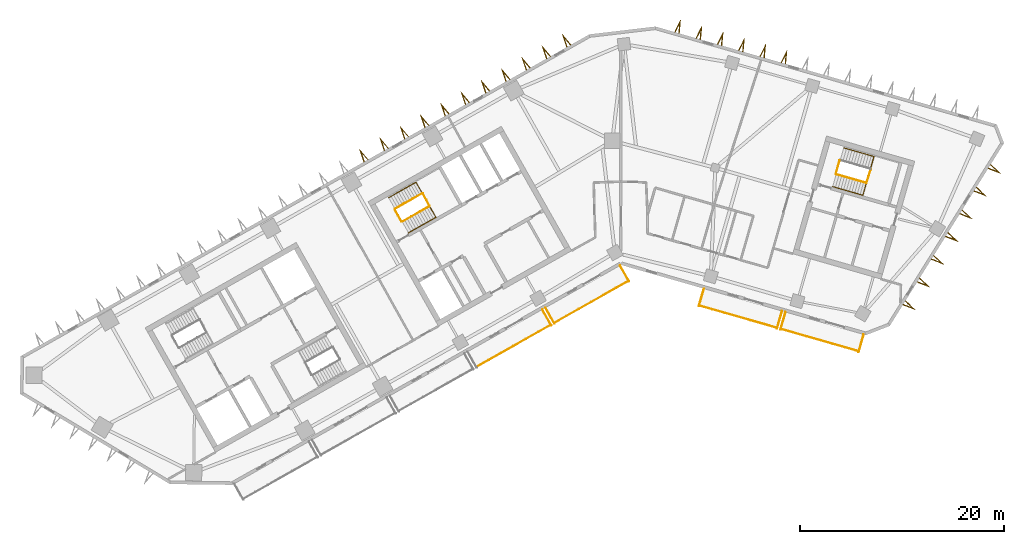
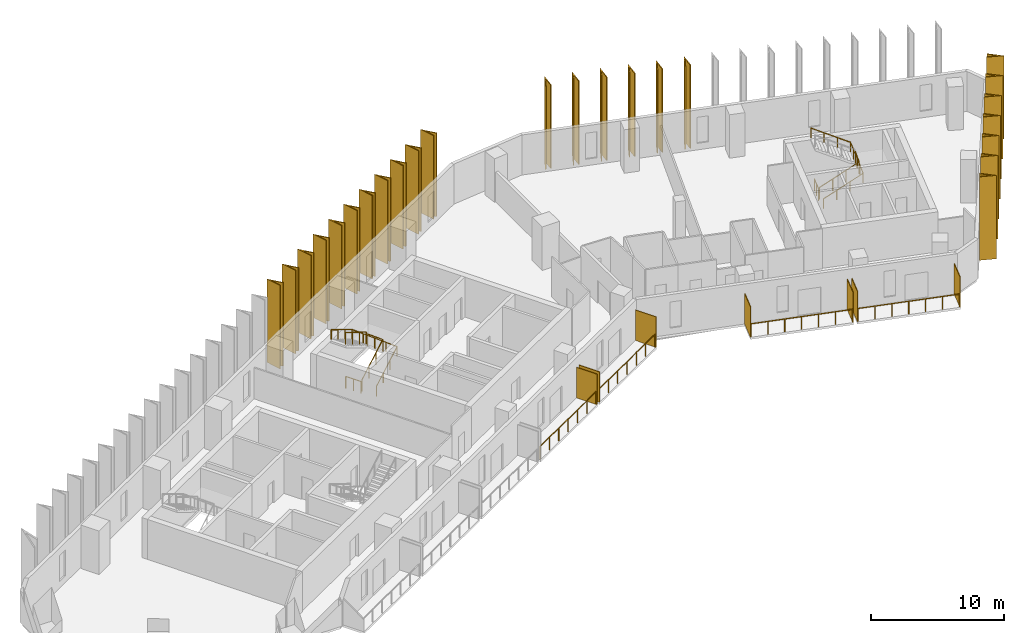
# One storey, part 9 of 10: 31 shading devices, 11 railings.
"""IFC4 building model written with IfcOpenShell, lengths in metres."""

from ifc_helpers import new_model, si_unit, direction, frame, origin, origin_2d, place, context, subcontext, project, spatial, polyline, rectangle, circle, outline, extrude, material, layer, layer_set, type_object, element, save


model = new_model("IFC4")

# Units and contexts
model_context = context("Model", 3, precision=1e-05, world=origin(), true_north=direction((0.0, 1.0)))
body_context = subcontext(model_context, "Body", "Model", "MODEL_VIEW")
ifc_project = project(units=[si_unit("LENGTHUNIT", "METRE"), si_unit("AREAUNIT", "SQUARE_METRE"), si_unit("VOLUMEUNIT", "CUBIC_METRE"), si_unit("PLANEANGLEUNIT", "RADIAN"), si_unit("MASSUNIT", "GRAM", prefix="KILO")], contexts=[model_context])

# Site, building, storey
site_placement = place(None, origin())
site = spatial("IfcSite", under=ifc_project, at=site_placement, CompositionType="ELEMENT")
building_placement = place(site_placement, origin())
building = spatial("IfcBuilding", under=site, at=building_placement, Name="Binnacle Exchange Tower", CompositionType="ELEMENT")
storey_placement = place(building_placement, frame((0.0, 0.0, 178.89990234375)))
storey = spatial("IfcBuildingStorey", under=building, at=storey_placement, Name="L38", CompositionType="ELEMENT", Elevation=178.89990234375)

# Railings
ifc_material_1 = material(Name="Bronze anodised aluminium frame", Category="aluminium")
railing_type_1 = type_object("IfcRailingType", Name="GUARD 1200", PredefinedType="GUARDRAIL", material=ifc_material_1)
railing_1_placement = place(storey_placement, frame((-14.135498046875, 37.85400390625, 0.0)))
element("IfcRailing", 1, at=railing_1_placement, inside=storey, type_object=railing_type_1, Name="Balcony guard G01-B03 L38", PredefinedType="GUARDRAIL", context=body_context, shape_type="SweptSolid", body=[
    extrude(circle(Radius=0.02392578125, at=origin_2d()), frame((0.0, 0.0, 1.17578125), z_axis=(0.870365821494, 0.492405662818, 0.0), x_axis=(-0.492405662818, 0.870365821494, 0.0)), (0.0, 0.0, 1.0), 8.334716796875),
    extrude(circle(Radius=0.02099609375, at=origin_2d()), origin(), (0.0, 0.0, 1.0), 1.15185546875),
    extrude(circle(Radius=0.02099609375, at=origin_2d()), frame((1.208984375, 0.68408203125, 0.0)), (0.0, 0.0, 1.0), 1.15185546875),
    extrude(circle(Radius=0.02099609375, at=origin_2d()), frame((2.41796875, 1.367919921875, 0.0)), (0.0, 0.0, 1.0), 1.15185546875),
    extrude(circle(Radius=0.02099609375, at=origin_2d()), frame((3.626953125, 2.052001953125, 0.0)), (0.0, 0.0, 1.0), 1.15185546875),
    extrude(circle(Radius=0.02099609375, at=origin_2d()), frame((4.836181640625, 2.736083984375, 0.0)), (0.0, 0.0, 1.0), 1.15185546875),
    extrude(circle(Radius=0.02099609375, at=origin_2d()), frame((6.045166015625, 3.419921875, 0.0)), (0.0, 0.0, 1.0), 1.15185546875),
    extrude(circle(Radius=0.02099609375, at=origin_2d()), frame((7.254150390625, 4.10400390625, 0.0)), (0.0, 0.0, 1.0), 1.15185546875),
])
railing_2_placement = place(storey_placement, frame((-6.515869140625, 42.164794921875, 0.0)))
element("IfcRailing", 2, at=railing_2_placement, inside=storey, type_object=railing_type_1, Name="Balcony guard G01-B04 L38", PredefinedType="GUARDRAIL", context=body_context, shape_type="SweptSolid", body=[
    extrude(circle(Radius=0.02392578125, at=origin_2d()), frame((0.0, 0.0, 1.17578125), z_axis=(0.8703461643, 0.49244040684, 0.0), x_axis=(-0.49244040684, 0.8703461643, 0.0)), (0.0, 0.0, 1.0), 8.33447265625),
    extrude(circle(Radius=0.02099609375, at=origin_2d()), origin(), (0.0, 0.0, 1.0), 1.15185546875),
    extrude(circle(Radius=0.02099609375, at=origin_2d()), frame((1.208984375, 0.68408203125, 0.0)), (0.0, 0.0, 1.0), 1.15185546875),
    extrude(circle(Radius=0.02099609375, at=origin_2d()), frame((2.41796875, 1.3681640625, 0.0)), (0.0, 0.0, 1.0), 1.15185546875),
    extrude(circle(Radius=0.02099609375, at=origin_2d()), frame((3.626953125, 2.05224609375, 0.0)), (0.0, 0.0, 1.0), 1.15185546875),
    extrude(circle(Radius=0.02099609375, at=origin_2d()), frame((4.8359375, 2.736083984375, 0.0)), (0.0, 0.0, 1.0), 1.15185546875),
    extrude(circle(Radius=0.02099609375, at=origin_2d()), frame((6.044921875, 3.420166015625, 0.0)), (0.0, 0.0, 1.0), 1.15185546875),
    extrude(circle(Radius=0.02099609375, at=origin_2d()), frame((7.25390625, 4.104248046875, 0.0)), (0.0, 0.0, 1.0), 1.15185546875),
])
for number, where, name in (
    (3, (7.6845703125, 43.85107421875, 0.0), "Balcony guard G02-B01 L38"),
    (4, (15.6826171875, 41.5576171875, 0.0), "Balcony guard G02-B02 L38"),
):
    element("IfcRailing", number, at=place(storey_placement, frame(where)), inside=storey, type_object=railing_type_1, Name=name, PredefinedType="GUARDRAIL", context=body_context, shape_type="SweptSolid", body=[
        extrude(circle(Radius=0.02392578125, at=origin_2d()), frame((0.0, 0.0, 1.17578125), z_axis=(0.961265805968, -0.275623022035, 0.0), x_axis=(0.275623022035, 0.961265805968, 0.0)), (0.0, 0.0, 1.0), 7.900146484375),
        extrude(circle(Radius=0.02099609375, at=origin_2d()), origin(), (0.0, 0.0, 1.0), 1.15185546875),
        extrude(circle(Radius=0.02099609375, at=origin_2d()), frame((1.265625, -0.36279296875, 0.0)), (0.0, 0.0, 1.0), 1.15185546875),
        extrude(circle(Radius=0.02099609375, at=origin_2d()), frame((2.531494140625, -0.725830078125, 0.0)), (0.0, 0.0, 1.0), 1.15185546875),
        extrude(circle(Radius=0.02099609375, at=origin_2d()), frame((3.797119140625, -1.0888671875, 0.0)), (0.0, 0.0, 1.0), 1.15185546875),
        extrude(circle(Radius=0.02099609375, at=origin_2d()), frame((5.062744140625, -1.45166015625, 0.0)), (0.0, 0.0, 1.0), 1.15185546875),
        extrude(circle(Radius=0.02099609375, at=origin_2d()), frame((6.32861328125, -1.814453125, 0.0)), (0.0, 0.0, 1.0), 1.15185546875),
        extrude(circle(Radius=0.02099609375, at=origin_2d()), frame((7.59423828125, -2.177490234375, 0.0)), (0.0, 0.0, 1.0), 1.15185546875),
    ])

# Shading devices
ifc_material_2 = material(Name="Bronze aluminium louvre", Category="aluminium")
ifc_layer = layer(ifc_material_2, 0.06005859375)
ifc_layer_set = layer_set([ifc_layer], Name="PLANTED SCREEN 60x2800")
shading_device_type_1 = type_object("IfcShadingDeviceType", Name="PLANTED SCREEN 60x2800", PredefinedType="USERDEFINED", material=ifc_layer_set)
for number, where, z_axis, x_axis, name in (
    (5, (-7.259033203125, 42.6865234375, 0.0), (0.0, 0.0, 1.0), (0.87035569594, 0.492423560103, 0.0), "Planted screen G01-B03b L38"),
    (6, (-6.94580078125, 42.864013671875, 0.0), (0.0, 0.0, 1.0), (0.87035569594, 0.492423560103, 0.0), "Planted screen G01-B04a L38"),
    (7, (0.3603515625, 46.99755859375, 0.0), (0.0, 0.0, 1.0), (0.87035569594, 0.492423560103, 0.0), "Planted screen G01-B04b L38"),
    (8, (7.881591796875, 44.647705078125, 0.0), (0.0, 0.0, 1.0), (0.961261695938, -0.275637355817, 0.0), "Planted screen G02-B01a L38"),
    (9, (15.53369140625, 42.45361328125, 0.0), (0.0, 0.0, 1.0), (0.961261695938, -0.275637355817, 0.0), "Planted screen G02-B01b L38"),
    (10, (15.8798828125, 42.354248046875, 0.0), (0.0, 0.0, 1.0), (0.961261695938, -0.275637355817, 0.0), "Planted screen G02-B02a L38"),
    (11, (23.53173828125, 40.16015625, 0.0), (0.0, 0.0, 1.0), (0.961261695938, -0.275637355817, 0.0), "Planted screen G02-B02b L38"),
):
    element("IfcShadingDevice", number, at=place(storey_placement, frame(where, z_axis=z_axis, x_axis=x_axis)), inside=storey, type_object=shading_device_type_1, Name=name, ObjectType="SCREEN", PredefinedType="USERDEFINED", context=body_context, shape_type="SweptSolid", body=[
        extrude(rectangle(XDim=0.06005859375, YDim=1.800048828125, at=origin_2d()), origin(), (0.0, 0.0, 1.0), 2.800048828125),
    ])

# Railings
ifc_material_3 = material(Name="Steel guard rail", Category="steel")
railing_type_2 = type_object("IfcRailingType", Name="STAIR GUARD 1100", PredefinedType="GUARDRAIL", material=ifc_material_3)
railing_3_placement = place(storey_placement, frame((-21.423828125, 52.07275390625, 0.166748046875)))
element("IfcRailing", 12, at=railing_3_placement, inside=storey, type_object=railing_type_2, Name="L38 STC1 stair guard 1", PredefinedType="GUARDRAIL", context=body_context, shape_type="SweptSolid", body=[
    extrude(circle(Radius=0.02392578125, at=origin_2d()), frame((0.0, 0.0, 1.076171875), z_axis=(0.747900833971, 0.423129324283, 0.511474258861), x_axis=(-0.492412445098, 0.870361984414, 0.0)), (0.0, 0.0, 1.0), 3.584228515625),
    extrude(circle(Radius=0.02392578125, at=origin_2d()), frame((2.6806640625, 1.5166015625, 2.9091796875), z_axis=(-0.460963092712, 0.887419307406, 0.0), x_axis=(-0.887419307406, -0.460963092712, 0.0)), (0.0, 0.0, 1.0), 1.40087890625),
    extrude(circle(Radius=0.02099609375, at=origin_2d()), origin(), (0.0, 0.0, 1.0), 1.052001953125),
    extrude(circle(Radius=0.02099609375, at=origin_2d()), frame((0.8935546875, 0.505615234375, 0.611083984375)), (0.0, 0.0, 1.0), 1.052001953125),
    extrude(circle(Radius=0.02099609375, at=origin_2d()), frame((1.787109375, 1.010986328125, 1.22216796875)), (0.0, 0.0, 1.0), 1.052001953125),
    extrude(circle(Radius=0.02099609375, at=origin_2d()), frame((2.6806640625, 1.5166015625, 1.833251953125)), (0.0, 0.0, 1.0), 1.052001953125),
    extrude(circle(Radius=0.02099609375, at=origin_2d()), frame((2.35791015625, 2.13818359375, 1.833251953125)), (0.0, 0.0, 1.0), 1.052001953125),
    extrude(circle(Radius=0.02099609375, at=origin_2d()), frame((2.034912109375, 2.759765625, 1.833251953125)), (0.0, 0.0, 1.0), 1.052001953125),
])
railing_4_placement = place(storey_placement, frame((-19.45703125, 54.851318359375, 2.166748046875)))
element("IfcRailing", 13, at=railing_4_placement, inside=storey, type_object=railing_type_2, Name="L38 STC1 stair guard 2", PredefinedType="GUARDRAIL", context=body_context, shape_type="SweptSolid", body=[
    extrude(circle(Radius=0.02392578125, at=origin_2d()), frame((0.0, 0.0, 1.076171875), z_axis=(-0.747900833971, -0.423129324283, 0.511474258861), x_axis=(0.492412445098, -0.870361984414, 0.0)), (0.0, 0.0, 1.0), 3.584228515625),
    extrude(circle(Radius=0.02099609375, at=origin_2d()), origin(), (0.0, 0.0, 1.0), 1.052001953125),
    extrude(circle(Radius=0.02099609375, at=origin_2d()), frame((-0.8935546875, -0.505615234375, 0.611083984375)), (0.0, 0.0, 1.0), 1.052001953125),
    extrude(circle(Radius=0.02099609375, at=origin_2d()), frame((-1.787109375, -1.010986328125, 1.22216796875)), (0.0, 0.0, 1.0), 1.052001953125),
    extrude(circle(Radius=0.02099609375, at=origin_2d()), frame((-2.6806640625, -1.5166015625, 1.833251953125)), (0.0, 0.0, 1.0), 1.052001953125),
])
railing_5_placement = place(storey_placement, frame((-21.491943359375, 52.091552734375, 0.0)))
element("IfcRailing", 14, at=railing_5_placement, inside=storey, type_object=railing_type_2, Name="L38 STC1 stair guard 3", PredefinedType="GUARDRAIL", context=body_context, shape_type="SweptSolid", body=[
    extrude(circle(Radius=0.02392578125, at=origin_2d()), frame((0.0, 0.0, 1.076171875), z_axis=(-0.49241474071, 0.870360685654, 0.0), x_axis=(-0.870360685654, -0.49241474071, 0.0)), (0.0, 0.0, 1.0), 1.35009765625),
    extrude(circle(Radius=0.02099609375, at=origin_2d()), origin(), (0.0, 0.0, 1.0), 1.052001953125),
    extrude(circle(Radius=0.02099609375, at=origin_2d()), frame((-0.33251953125, 0.58740234375, 0.0)), (0.0, 0.0, 1.0), 1.052001953125),
    extrude(circle(Radius=0.02099609375, at=origin_2d()), frame((-0.664794921875, 1.175048828125, 0.0)), (0.0, 0.0, 1.0), 1.052001953125),
])
railing_6_placement = place(storey_placement, frame((21.086669921875, 56.71044921875, 0.166748046875)))
element("IfcRailing", 15, at=railing_6_placement, inside=storey, type_object=railing_type_2, Name="L38 STD1 stair guard 1", PredefinedType="GUARDRAIL", context=body_context, shape_type="SweptSolid", body=[
    extrude(circle(Radius=0.02392578125, at=origin_2d()), frame((0.0, 0.0, 1.076171875), z_axis=(0.826006950853, -0.236897186037, 0.511460888427), x_axis=(0.27568413623, 0.961248280639, 0.0)), (0.0, 0.0, 1.0), 3.584228515625),
    extrude(circle(Radius=0.02392578125, at=origin_2d()), frame((2.960693359375, -0.84912109375, 2.9091796875), z_axis=(0.309684985722, 0.950839213337, 0.0), x_axis=(-0.950839213337, 0.309684985722, 0.0)), (0.0, 0.0, 1.0), 1.40087890625),
    extrude(circle(Radius=0.02099609375, at=origin_2d()), origin(), (0.0, 0.0, 1.0), 1.052001953125),
    extrude(circle(Radius=0.02099609375, at=origin_2d()), frame((0.98681640625, -0.282958984375, 0.611083984375)), (0.0, 0.0, 1.0), 1.052001953125),
    extrude(circle(Radius=0.02099609375, at=origin_2d()), frame((1.973876953125, -0.566162109375, 1.22216796875)), (0.0, 0.0, 1.0), 1.052001953125),
    extrude(circle(Radius=0.02099609375, at=origin_2d()), frame((2.960693359375, -0.84912109375, 1.833251953125)), (0.0, 0.0, 1.0), 1.052001953125),
    extrude(circle(Radius=0.02099609375, at=origin_2d()), frame((3.177734375, -0.18310546875, 1.833251953125)), (0.0, 0.0, 1.0), 1.052001953125),
    extrude(circle(Radius=0.02099609375, at=origin_2d()), frame((3.39453125, 0.48291015625, 1.833251953125)), (0.0, 0.0, 1.0), 1.052001953125),
])
railing_7_placement = place(storey_placement, frame((21.05224609375, 56.772216796875, 0.0)))
element("IfcRailing", 16, at=railing_7_placement, inside=storey, type_object=railing_type_2, Name="L38 STD1 stair guard 3", PredefinedType="GUARDRAIL", context=body_context, shape_type="SweptSolid", body=[
    extrude(circle(Radius=0.02392578125, at=origin_2d()), frame((0.0, 0.0, 1.076171875), z_axis=(0.275795817769, 0.961216243569, 0.0), x_axis=(-0.961216243569, 0.275795817769, 0.0)), (0.0, 0.0, 1.0), 1.349853515625),
    extrude(circle(Radius=0.02099609375, at=origin_2d()), origin(), (0.0, 0.0, 1.0), 1.052001953125),
    extrude(circle(Radius=0.02099609375, at=origin_2d()), frame((0.18603515625, 0.64892578125, 0.0)), (0.0, 0.0, 1.0), 1.052001953125),
    extrude(circle(Radius=0.02099609375, at=origin_2d()), frame((0.372314453125, 1.297607421875, 0.0)), (0.0, 0.0, 1.0), 1.052001953125),
])
ifc_material_4 = material(Name="Steel handrail", Category="steel")
railing_type_3 = type_object("IfcRailingType", Name="STAIR HANDRAIL 900", PredefinedType="HANDRAIL", material=ifc_material_4)
railing_8_placement = place(storey_placement, frame((-20.808349609375, 50.984619140625, 0.166748046875)))
element("IfcRailing", 17, at=railing_8_placement, inside=storey, type_object=railing_type_3, Name="L38 STC1 stair handrail 1", PredefinedType="HANDRAIL", context=body_context, shape_type="SweptSolid", body=[
    extrude(circle(Radius=0.02392578125, at=origin_2d()), frame((0.0, 0.0, 0.8759765625), z_axis=(0.747909291085, 0.423163685048, 0.51143346387), x_axis=(-0.49243851748, 0.870347233294, 0.0)), (0.0, 0.0, 1.0), 3.58447265625),
    extrude(circle(Radius=0.02392578125, at=origin_2d()), frame((2.680908203125, 1.516845703125, 2.708984375), z_axis=(-0.492001882252, 0.86957179666, 0.042178647619), x_axis=(-0.87034633103, -0.492440112159, 0.0)), (0.0, 0.0, 1.0), 3.953369140625),
    extrude(circle(Radius=0.02392578125, at=origin_2d()), frame((0.73583984375, 4.95458984375, 2.8759765625), z_axis=(-0.747930846092, -0.423107769413, 0.511448203561), x_axis=(0.492378474645, -0.870381202524, 0.0)), (0.0, 0.0, 1.0), 3.58447265625),
    extrude(circle(Radius=0.02099609375, at=origin_2d()), origin(), (0.0, 0.0, 1.0), 0.851806640625),
    extrude(circle(Radius=0.02099609375, at=origin_2d()), frame((0.8935546875, 0.505615234375, 0.611083984375)), (0.0, 0.0, 1.0), 0.851806640625),
    extrude(circle(Radius=0.02099609375, at=origin_2d()), frame((1.787353515625, 1.01123046875, 1.22216796875)), (0.0, 0.0, 1.0), 0.851806640625),
    extrude(circle(Radius=0.02099609375, at=origin_2d()), frame((2.680908203125, 1.516845703125, 1.833251953125)), (0.0, 0.0, 1.0), 0.851806640625),
    extrude(circle(Radius=0.02099609375, at=origin_2d()), frame((2.194580078125, 2.376220703125, 1.875)), (0.0, 0.0, 1.0), 0.851806640625),
    extrude(circle(Radius=0.02099609375, at=origin_2d()), frame((1.70849609375, 3.23583984375, 1.91650390625)), (0.0, 0.0, 1.0), 0.851806640625),
    extrude(circle(Radius=0.02099609375, at=origin_2d()), frame((1.22216796875, 4.09521484375, 1.958251953125)), (0.0, 0.0, 1.0), 0.851806640625),
    extrude(circle(Radius=0.02099609375, at=origin_2d()), frame((0.73583984375, 4.95458984375, 2.0)), (0.0, 0.0, 1.0), 0.851806640625),
    extrude(circle(Radius=0.02099609375, at=origin_2d()), frame((-0.15771484375, 4.448974609375, 2.611083984375)), (0.0, 0.0, 1.0), 0.851806640625),
    extrude(circle(Radius=0.02099609375, at=origin_2d()), frame((-1.051513671875, 3.943603515625, 3.22216796875)), (0.0, 0.0, 1.0), 0.851806640625),
    extrude(circle(Radius=0.02099609375, at=origin_2d()), frame((-1.945068359375, 3.43798828125, 3.833251953125)), (0.0, 0.0, 1.0), 0.851806640625),
])
railing_9_placement = place(storey_placement, frame((20.7421875, 55.5087890625, 0.166748046875)))
element("IfcRailing", 18, at=railing_9_placement, inside=storey, type_object=railing_type_3, Name="L38 STD1 stair handrail 1", PredefinedType="HANDRAIL", context=body_context, shape_type="SweptSolid", body=[
    extrude(circle(Radius=0.02392578125, at=origin_2d()), frame((0.0, 0.0, 0.8759765625), z_axis=(0.826020277534, -0.236832893954, 0.511469140266), x_axis=(0.275610892984, 0.961269283639, 0.0)), (0.0, 0.0, 1.0), 3.584228515625),
    extrude(circle(Radius=0.02392578125, at=origin_2d()), frame((2.960693359375, -0.848876953125, 2.708984375), z_axis=(0.275365570671, 0.960413849534, 0.042178668932), x_axis=(-0.961269298493, 0.275610841177, 0.0)), (0.0, 0.0, 1.0), 3.953369140625),
    extrude(circle(Radius=0.02392578125, at=origin_2d()), frame((4.04931640625, 2.947998046875, 2.8759765625), z_axis=(-0.826020277534, 0.236832893954, 0.511469140266), x_axis=(-0.275610892984, -0.961269283639, 0.0)), (0.0, 0.0, 1.0), 3.584228515625),
    extrude(circle(Radius=0.02099609375, at=origin_2d()), origin(), (0.0, 0.0, 1.0), 0.851806640625),
    extrude(circle(Radius=0.02099609375, at=origin_2d()), frame((0.98681640625, -0.282958984375, 0.611083984375)), (0.0, 0.0, 1.0), 0.851806640625),
    extrude(circle(Radius=0.02099609375, at=origin_2d()), frame((1.973876953125, -0.56591796875, 1.22216796875)), (0.0, 0.0, 1.0), 0.851806640625),
    extrude(circle(Radius=0.02099609375, at=origin_2d()), frame((2.960693359375, -0.848876953125, 1.833251953125)), (0.0, 0.0, 1.0), 0.851806640625),
    extrude(circle(Radius=0.02099609375, at=origin_2d()), frame((3.23291015625, 0.100341796875, 1.875)), (0.0, 0.0, 1.0), 0.851806640625),
    extrude(circle(Radius=0.02099609375, at=origin_2d()), frame((3.5048828125, 1.049560546875, 1.91650390625)), (0.0, 0.0, 1.0), 0.851806640625),
    extrude(circle(Radius=0.02099609375, at=origin_2d()), frame((3.777099609375, 1.998779296875, 1.958251953125)), (0.0, 0.0, 1.0), 0.851806640625),
    extrude(circle(Radius=0.02099609375, at=origin_2d()), frame((4.04931640625, 2.947998046875, 2.0)), (0.0, 0.0, 1.0), 0.851806640625),
    extrude(circle(Radius=0.02099609375, at=origin_2d()), frame((3.0625, 3.23095703125, 2.611083984375)), (0.0, 0.0, 1.0), 0.851806640625),
    extrude(circle(Radius=0.02099609375, at=origin_2d()), frame((2.075439453125, 3.513916015625, 3.22216796875)), (0.0, 0.0, 1.0), 0.851806640625),
    extrude(circle(Radius=0.02099609375, at=origin_2d()), frame((1.088623046875, 3.796875, 3.833251953125)), (0.0, 0.0, 1.0), 0.851806640625),
])

# Shading devices
ifc_material_5 = material(Name="Bronze aluminium cladding", Category="aluminium")
shading_device_type_2 = type_object("IfcShadingDeviceType", Name="V FIN 1300 DEEP x 7680 HIGH", PredefinedType="USERDEFINED", material=ifc_material_5)
shading_device_1_placement = place(storey_placement, origin())
element("IfcShadingDevice", 19, at=shading_device_1_placement, inside=storey, type_object=shading_device_type_2, Name="V fin FN-G04-01 L38", ObjectType="FIN", PredefinedType="USERDEFINED", context=body_context, shape_type="SweptSolid", body=[
    extrude(outline(polyline([(27.61669921875, 43.9130859375), (28.851806640625, 43.43603515625), (27.881591796875, 44.3369140625), (27.83837890625, 44.267822265625), (28.492431640625, 43.66064453125), (27.659912109375, 43.982177734375), (27.61669921875, 43.9130859375)])), origin(), (0.0, 0.0, 1.0), 7.68017578125),
])
shading_device_2_placement = place(storey_placement, origin())
element("IfcShadingDevice", 20, at=shading_device_2_placement, inside=storey, type_object=shading_device_type_2, Name="V fin FN-G04-02 L38", ObjectType="FIN", PredefinedType="USERDEFINED", context=body_context, shape_type="SweptSolid", body=[
    extrude(outline(polyline([(29.0078125, 46.13916015625), (30.242919921875, 45.662353515625), (29.272705078125, 46.563232421875), (29.2294921875, 46.494140625), (29.883544921875, 45.88671875), (29.051025390625, 46.208251953125), (29.0078125, 46.13916015625)])), origin(), (0.0, 0.0, 1.0), 7.68017578125),
])
shading_device_3_placement = place(storey_placement, origin())
element("IfcShadingDevice", 21, at=shading_device_3_placement, inside=storey, type_object=shading_device_type_2, Name="V fin FN-G04-03 L38", ObjectType="FIN", PredefinedType="USERDEFINED", context=body_context, shape_type="SweptSolid", body=[
    extrude(outline(polyline([(30.398681640625, 48.365234375), (31.6337890625, 47.888427734375), (30.663818359375, 48.789306640625), (30.62060546875, 48.72021484375), (31.2744140625, 48.11279296875), (30.44189453125, 48.434326171875), (30.398681640625, 48.365234375)])), origin(), (0.0, 0.0, 1.0), 7.68017578125),
])
shading_device_4_placement = place(storey_placement, origin())
element("IfcShadingDevice", 22, at=shading_device_4_placement, inside=storey, type_object=shading_device_type_2, Name="V fin FN-G04-04 L38", ObjectType="FIN", PredefinedType="USERDEFINED", context=body_context, shape_type="SweptSolid", body=[
    extrude(outline(polyline([(31.789794921875, 50.59130859375), (33.02490234375, 50.114501953125), (32.054931640625, 51.015380859375), (32.01171875, 50.9462890625), (32.66552734375, 50.339111328125), (31.8330078125, 50.660400390625), (31.789794921875, 50.59130859375)])), origin(), (0.0, 0.0, 1.0), 7.68017578125),
])
shading_device_5_placement = place(storey_placement, origin())
element("IfcShadingDevice", 23, at=shading_device_5_placement, inside=storey, type_object=shading_device_type_2, Name="V fin FN-G04-05 L38", ObjectType="FIN", PredefinedType="USERDEFINED", context=body_context, shape_type="SweptSolid", body=[
    extrude(outline(polyline([(33.180908203125, 52.8173828125), (34.416015625, 52.340576171875), (33.44580078125, 53.241455078125), (33.402587890625, 53.17236328125), (34.056640625, 52.565185546875), (33.22412109375, 52.88671875), (33.180908203125, 52.8173828125)])), origin(), (0.0, 0.0, 1.0), 7.68017578125),
])
shading_device_6_placement = place(storey_placement, origin())
element("IfcShadingDevice", 24, at=shading_device_6_placement, inside=storey, type_object=shading_device_type_2, Name="V fin FN-G04-06 L38", ObjectType="FIN", PredefinedType="USERDEFINED", context=body_context, shape_type="SweptSolid", body=[
    extrude(outline(polyline([(34.572021484375, 55.043701171875), (35.806884765625, 54.56689453125), (34.8369140625, 55.4677734375), (34.793701171875, 55.398681640625), (35.447509765625, 54.791259765625), (34.614990234375, 55.11279296875), (34.572021484375, 55.043701171875)])), origin(), (0.0, 0.0, 1.0), 7.68017578125),
])
shading_device_7_placement = place(storey_placement, origin())
element("IfcShadingDevice", 25, at=shading_device_7_placement, inside=storey, type_object=shading_device_type_2, Name="V fin FN-G04-07 L38", ObjectType="FIN", PredefinedType="USERDEFINED", context=body_context, shape_type="SweptSolid", body=[
    extrude(outline(polyline([(35.962890625, 57.269775390625), (37.197998046875, 56.79296875), (36.22802734375, 57.69384765625), (36.184814453125, 57.624755859375), (36.838623046875, 57.017333984375), (36.006103515625, 57.3388671875), (35.962890625, 57.269775390625)])), origin(), (0.0, 0.0, 1.0), 7.68017578125),
])
shading_device_8_placement = place(storey_placement, origin())
element("IfcShadingDevice", 26, at=shading_device_8_placement, inside=storey, type_object=shading_device_type_2, Name="V fin FN-G06-10 L38", ObjectType="FIN", PredefinedType="USERDEFINED", context=body_context, shape_type="SweptSolid", body=[
    extrude(outline(polyline([(16.151611328125, 67.524658203125), (16.26953125, 68.84326171875), (15.6708984375, 67.66259765625), (15.749267578125, 67.64013671875), (16.15283203125, 68.43603515625), (16.0732421875, 67.547119140625), (16.151611328125, 67.524658203125)])), origin(), (0.0, 0.0, 1.0), 7.68017578125),
])
shading_device_9_placement = place(storey_placement, origin())
element("IfcShadingDevice", 27, at=shading_device_9_placement, inside=storey, type_object=shading_device_type_2, Name="V fin FN-G06-11 L38", ObjectType="FIN", PredefinedType="USERDEFINED", context=body_context, shape_type="SweptSolid", body=[
    extrude(outline(polyline([(14.0673828125, 68.122314453125), (14.185302734375, 69.44091796875), (13.586669921875, 68.260009765625), (13.6650390625, 68.23779296875), (14.068603515625, 69.03369140625), (13.989013671875, 68.144775390625), (14.0673828125, 68.122314453125)])), origin(), (0.0, 0.0, 1.0), 7.68017578125),
])
shading_device_10_placement = place(storey_placement, origin())
element("IfcShadingDevice", 28, at=shading_device_10_placement, inside=storey, type_object=shading_device_type_2, Name="V fin FN-G06-12 L38", ObjectType="FIN", PredefinedType="USERDEFINED", context=body_context, shape_type="SweptSolid", body=[
    extrude(outline(polyline([(11.98291015625, 68.719970703125), (12.10107421875, 70.03857421875), (11.50244140625, 68.85791015625), (11.580810546875, 68.83544921875), (11.984375, 69.63134765625), (11.90478515625, 68.742431640625), (11.98291015625, 68.719970703125)])), origin(), (0.0, 0.0, 1.0), 7.68017578125),
])
shading_device_11_placement = place(storey_placement, origin())
element("IfcShadingDevice", 29, at=shading_device_11_placement, inside=storey, type_object=shading_device_type_2, Name="V fin FN-G06-13 L38", ObjectType="FIN", PredefinedType="USERDEFINED", context=body_context, shape_type="SweptSolid", body=[
    extrude(outline(polyline([(9.898681640625, 69.317626953125), (10.016845703125, 70.635986328125), (9.418212890625, 69.455322265625), (9.49658203125, 69.43310546875), (9.900146484375, 70.22900390625), (9.820556640625, 69.340087890625), (9.898681640625, 69.317626953125)])), origin(), (0.0, 0.0, 1.0), 7.68017578125),
])
shading_device_12_placement = place(storey_placement, origin())
element("IfcShadingDevice", 30, at=shading_device_12_placement, inside=storey, type_object=shading_device_type_2, Name="V fin FN-G06-14 L38", ObjectType="FIN", PredefinedType="USERDEFINED", context=body_context, shape_type="SweptSolid", body=[
    extrude(outline(polyline([(7.814453125, 69.915283203125), (7.9326171875, 71.233642578125), (7.333984375, 70.052978515625), (7.412109375, 70.030517578125), (7.81591796875, 70.826416015625), (7.736083984375, 69.9375), (7.814453125, 69.915283203125)])), origin(), (0.0, 0.0, 1.0), 7.68017578125),
])
shading_device_13_placement = place(storey_placement, origin())
element("IfcShadingDevice", 31, at=shading_device_13_placement, inside=storey, type_object=shading_device_type_2, Name="V fin FN-G06-15 L38", ObjectType="FIN", PredefinedType="USERDEFINED", context=body_context, shape_type="SweptSolid", body=[
    extrude(outline(polyline([(5.730224609375, 70.512939453125), (5.84814453125, 71.831298828125), (5.24951171875, 70.650634765625), (5.327880859375, 70.62841796875), (5.7314453125, 71.42431640625), (5.65185546875, 70.535400390625), (5.730224609375, 70.512939453125)])), origin(), (0.0, 0.0, 1.0), 7.68017578125),
])
shading_device_14_placement = place(storey_placement, origin())
element("IfcShadingDevice", 32, at=shading_device_14_placement, inside=storey, type_object=shading_device_type_2, Name="V fin FN-G08-01 L38", ObjectType="FIN", PredefinedType="USERDEFINED", context=body_context, shape_type="SweptSolid", body=[
    extrude(outline(polyline([(-4.88916015625, 69.40625), (-5.746826171875, 70.41455078125), (-5.32421875, 69.159912109375), (-5.25341796875, 69.2001953125), (-5.5380859375, 70.0458984375), (-4.9599609375, 69.3662109375), (-4.88916015625, 69.40625)])), origin(), (0.0, 0.0, 1.0), 7.68017578125),
])
shading_device_15_placement = place(storey_placement, origin())
element("IfcShadingDevice", 33, at=shading_device_15_placement, inside=storey, type_object=shading_device_type_2, Name="V fin FN-G08-02 L38", ObjectType="FIN", PredefinedType="USERDEFINED", context=body_context, shape_type="SweptSolid", body=[
    extrude(outline(polyline([(-6.87548828125, 68.2822265625), (-7.7333984375, 69.290771484375), (-7.310791015625, 68.0361328125), (-7.239990234375, 68.076171875), (-7.524658203125, 68.922119140625), (-6.946533203125, 68.2421875), (-6.87548828125, 68.2822265625)])), origin(), (0.0, 0.0, 1.0), 7.68017578125),
])
shading_device_16_placement = place(storey_placement, origin())
element("IfcShadingDevice", 34, at=shading_device_16_placement, inside=storey, type_object=shading_device_type_2, Name="V fin FN-G08-03 L38", ObjectType="FIN", PredefinedType="USERDEFINED", context=body_context, shape_type="SweptSolid", body=[
    extrude(outline(polyline([(-8.862060546875, 67.158203125), (-9.719970703125, 68.166748046875), (-9.29736328125, 66.912109375), (-9.226318359375, 66.9521484375), (-9.51123046875, 67.798095703125), (-8.93310546875, 67.1181640625), (-8.862060546875, 67.158203125)])), origin(), (0.0, 0.0, 1.0), 7.68017578125),
])
shading_device_17_placement = place(storey_placement, origin())
element("IfcShadingDevice", 35, at=shading_device_17_placement, inside=storey, type_object=shading_device_type_2, Name="V fin FN-G08-04 L38", ObjectType="FIN", PredefinedType="USERDEFINED", context=body_context, shape_type="SweptSolid", body=[
    extrude(outline(polyline([(-10.8486328125, 66.034423828125), (-11.70654296875, 67.042724609375), (-11.283935546875, 65.7880859375), (-11.212890625, 65.828369140625), (-11.497802734375, 66.674072265625), (-10.919677734375, 65.994384765625), (-10.8486328125, 66.034423828125)])), origin(), (0.0, 0.0, 1.0), 7.68017578125),
])
shading_device_18_placement = place(storey_placement, origin())
element("IfcShadingDevice", 36, at=shading_device_18_placement, inside=storey, type_object=shading_device_type_2, Name="V fin FN-G08-05 L38", ObjectType="FIN", PredefinedType="USERDEFINED", context=body_context, shape_type="SweptSolid", body=[
    extrude(outline(polyline([(-12.835205078125, 64.910400390625), (-13.693115234375, 65.9189453125), (-13.2705078125, 64.664306640625), (-13.199462890625, 64.704345703125), (-13.484375, 65.55029296875), (-12.906005859375, 64.870361328125), (-12.835205078125, 64.910400390625)])), origin(), (0.0, 0.0, 1.0), 7.68017578125),
])
shading_device_19_placement = place(storey_placement, origin())
element("IfcShadingDevice", 37, at=shading_device_19_placement, inside=storey, type_object=shading_device_type_2, Name="V fin FN-G08-06 L38", ObjectType="FIN", PredefinedType="USERDEFINED", context=body_context, shape_type="SweptSolid", body=[
    extrude(outline(polyline([(-14.82177734375, 63.78662109375), (-15.6796875, 64.794921875), (-15.257080078125, 63.540283203125), (-15.18603515625, 63.580322265625), (-15.470947265625, 64.42626953125), (-14.892578125, 63.746337890625), (-14.82177734375, 63.78662109375)])), origin(), (0.0, 0.0, 1.0), 7.68017578125),
])
shading_device_20_placement = place(storey_placement, origin())
element("IfcShadingDevice", 38, at=shading_device_20_placement, inside=storey, type_object=shading_device_type_2, Name="V fin FN-G08-07 L38", ObjectType="FIN", PredefinedType="USERDEFINED", context=body_context, shape_type="SweptSolid", body=[
    extrude(outline(polyline([(-16.808349609375, 62.66259765625), (-17.666015625, 63.6708984375), (-17.243408203125, 62.41650390625), (-17.172607421875, 62.45654296875), (-17.45751953125, 63.30224609375), (-16.879150390625, 62.62255859375), (-16.808349609375, 62.66259765625)])), origin(), (0.0, 0.0, 1.0), 7.68017578125),
])
shading_device_21_placement = place(storey_placement, origin())
element("IfcShadingDevice", 39, at=shading_device_21_placement, inside=storey, type_object=shading_device_type_2, Name="V fin FN-G08-08 L38", ObjectType="FIN", PredefinedType="USERDEFINED", context=body_context, shape_type="SweptSolid", body=[
    extrude(outline(polyline([(-18.794921875, 61.53857421875), (-19.652587890625, 62.547119140625), (-19.22998046875, 61.29248046875), (-19.1591796875, 61.33251953125), (-19.444091796875, 62.17822265625), (-18.86572265625, 61.49853515625), (-18.794921875, 61.53857421875)])), origin(), (0.0, 0.0, 1.0), 7.68017578125),
])
shading_device_22_placement = place(storey_placement, origin())
element("IfcShadingDevice", 40, at=shading_device_22_placement, inside=storey, type_object=shading_device_type_2, Name="V fin FN-G08-09 L38", ObjectType="FIN", PredefinedType="USERDEFINED", context=body_context, shape_type="SweptSolid", body=[
    extrude(outline(polyline([(-20.781494140625, 60.414794921875), (-21.639404296875, 61.423095703125), (-21.216796875, 60.16845703125), (-21.145751953125, 60.20849609375), (-21.4306640625, 61.054443359375), (-20.852294921875, 60.37451171875), (-20.781494140625, 60.414794921875)])), origin(), (0.0, 0.0, 1.0), 7.68017578125),
])
shading_device_23_placement = place(storey_placement, origin())
element("IfcShadingDevice", 41, at=shading_device_23_placement, inside=storey, type_object=shading_device_type_2, Name="V fin FN-G08-10 L38", ObjectType="FIN", PredefinedType="USERDEFINED", context=body_context, shape_type="SweptSolid", body=[
    extrude(outline(polyline([(-22.76806640625, 59.290771484375), (-23.625732421875, 60.29931640625), (-23.203125, 59.044677734375), (-23.13232421875, 59.084716796875), (-23.4169921875, 59.930419921875), (-22.8388671875, 59.250732421875), (-22.76806640625, 59.290771484375)])), origin(), (0.0, 0.0, 1.0), 7.68017578125),
])
shading_device_24_placement = place(storey_placement, origin())
element("IfcShadingDevice", 42, at=shading_device_24_placement, inside=storey, type_object=shading_device_type_2, Name="V fin FN-G08-11 L38", ObjectType="FIN", PredefinedType="USERDEFINED", context=body_context, shape_type="SweptSolid", body=[
    extrude(outline(polyline([(-24.754638671875, 58.166748046875), (-25.6123046875, 59.17529296875), (-25.189697265625, 57.920654296875), (-25.118896484375, 57.960693359375), (-25.40380859375, 58.806396484375), (-24.825439453125, 58.126708984375), (-24.754638671875, 58.166748046875)])), origin(), (0.0, 0.0, 1.0), 7.68017578125),
])

save(model, "model.ifc")
